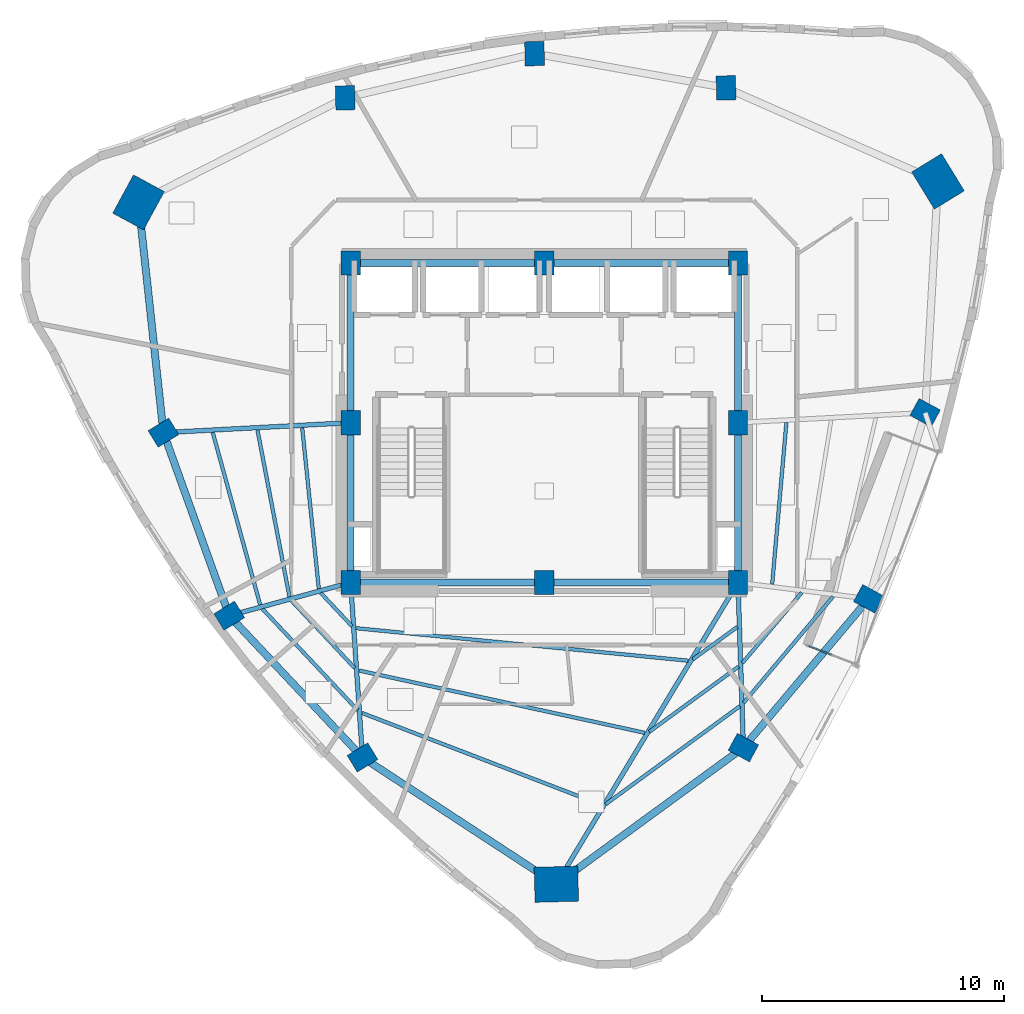
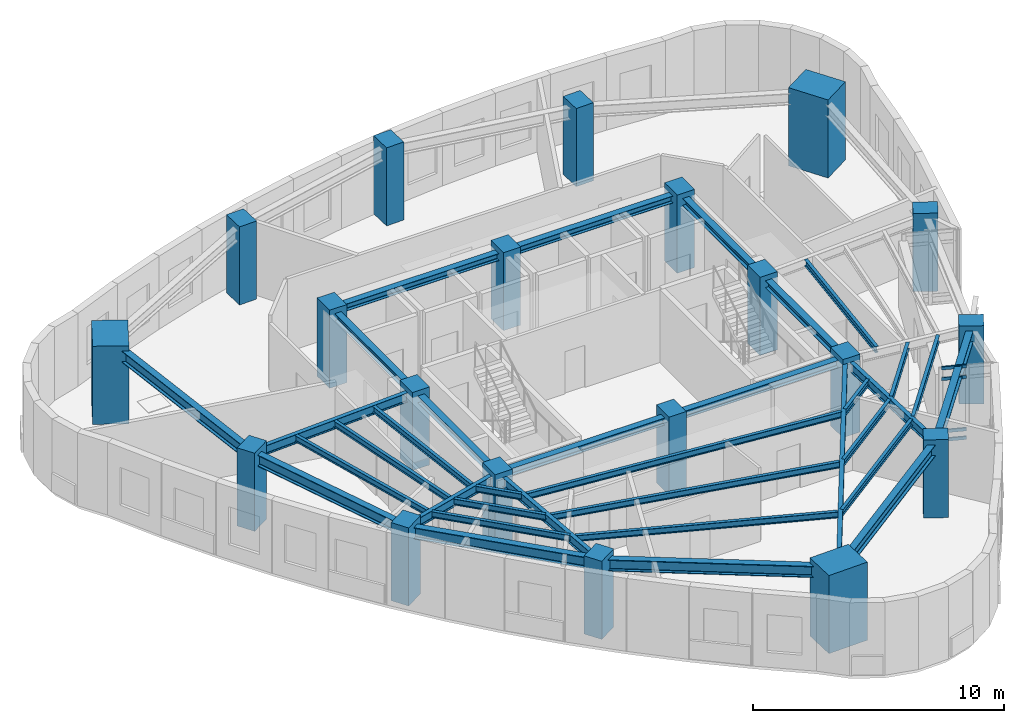
# One storey, part 1 of 10: 34 beams, 20 columns, 4 members, 1 element without a shape of its own.
"""IFC4 building model written with IfcOpenShell, lengths in metres."""

import ifcopenshell
import ifcopenshell.guid

model = None  # the IFC model being written
_history = None  # IfcOwnerHistory: only IFC2X3 demands one
_inside = {}  # id of a spatial element -> (the spatial element, [elements in it])
_under = {}  # id of a project, library or spatial element -> (it, [spatial elements below it])
_declared = {}  # id of a project -> (the project, [libraries it declares])
_typed = {}  # id of a type object -> (the type object, [elements of that type])
_made_of = {}  # id of a material, layer set ... -> (it, [elements and type objects made of it])


def new_model(schema):
    """Start an empty IFC model of exactly this schema.

    Asked for "IFC4X3", IfcOpenShell would pick the latest addendum, in which some entities
    have other attributes; the version numbers below select the first issue.
    IFC2X3 requires an IfcOwnerHistory on every rooted entity: one is made here for all.
    """
    global model, _history
    if schema == "IFC4X3":
        model = ifcopenshell.file(schema_version=(4, 3, 0, 0))
    else:
        model = ifcopenshell.file(schema=schema)
    _inside.clear()
    _under.clear()
    _declared.clear()
    _typed.clear()
    _made_of.clear()
    _history = None
    if model.schema == "IFC2X3":
        org = make("IfcOrganization", Name="unknown")
        user = make(
            "IfcPersonAndOrganization",
            ThePerson=make("IfcPerson", FamilyName="unknown"),
            TheOrganization=org,
        )
        app = make(
            "IfcApplication",
            ApplicationDeveloper=org,
            Version="unknown",
            ApplicationFullName="unknown",
            ApplicationIdentifier="unknown",
        )
        _history = make(
            "IfcOwnerHistory",
            OwningUser=user,
            OwningApplication=app,
            ChangeAction="ADDED",
            CreationDate=0,
        )
    return model


def make(cls, **values):
    """One entity of the class cls with the attributes given. An attribute that is None is left unset."""
    return model.create_entity(
        cls, **{name: value for name, value in values.items() if value is not None}
    )


def rooted(cls, **values):
    """An entity with a GlobalId (a new one), such as an element, a storey or a relation."""
    return make(cls, GlobalId=ifcopenshell.guid.new(), OwnerHistory=_history, **values)


def si_unit(unit_type, name, prefix=None):
    """IfcSIUnit, for example si_unit("LENGTHUNIT", "METRE", prefix="MILLI")."""
    return make("IfcSIUnit", UnitType=unit_type, Prefix=prefix, Name=name)


def assignment(units):
    """IfcUnitAssignment: the units of a project."""
    return None if units is None else make("IfcUnitAssignment", Units=units)


def point(xyz):
    """IfcCartesianPoint."""
    return None if xyz is None else make("IfcCartesianPoint", Coordinates=xyz)


def direction(xyz):
    """IfcDirection."""
    return None if xyz is None else make("IfcDirection", DirectionRatios=xyz)


def frame(location, z_axis=None, x_axis=None):
    """IfcAxis2Placement3D, a coordinate frame: its origin and axes. An axis left out is left unset."""
    return make(
        "IfcAxis2Placement3D",
        Location=point(location),
        Axis=direction(z_axis),
        RefDirection=direction(x_axis),
    )


def frame_2d(location, x_axis=None):
    """IfcAxis2Placement2D, a coordinate frame in the plane: its origin and x axis."""
    return make(
        "IfcAxis2Placement2D", Location=point(location), RefDirection=direction(x_axis)
    )


def origin():
    """The frame at (0, 0, 0) with its axes left unset."""
    return frame((0.0, 0.0, 0.0))


def origin_2d():
    """The frame at (0, 0) in the plane with its x axis left unset."""
    return frame_2d((0.0, 0.0))


def place(relative_to, where):
    """IfcLocalPlacement: puts the frame where relative to a parent placement (None: the world)."""
    return make(
        "IfcLocalPlacement", PlacementRelTo=relative_to, RelativePlacement=where
    )


def context(
    kind, dimensions, precision=None, world=None, true_north=None, identifier=None
):
    """IfcGeometricRepresentationContext, for example the 3D "Model" context."""
    return make(
        "IfcGeometricRepresentationContext",
        ContextIdentifier=identifier,
        ContextType=kind,
        CoordinateSpaceDimension=dimensions,
        Precision=precision,
        WorldCoordinateSystem=world,
        TrueNorth=true_north,
    )


def subcontext(parent, identifier, kind, view, scale=None):
    """IfcGeometricRepresentationSubContext, for example "Body" below "Model"."""
    return make(
        "IfcGeometricRepresentationSubContext",
        ContextIdentifier=identifier,
        ContextType=kind,
        ParentContext=parent,
        TargetScale=scale,
        TargetView=view,
    )


def project(units=None, contexts=None):
    """IfcProject with its units and contexts."""
    return rooted(
        "IfcProject",
        Name="project",
        RepresentationContexts=contexts,
        UnitsInContext=assignment(units),
    )


def spatial(cls, under=None, at=None, **own):
    """A site, building, storey or space (cls), placed at a placement, below another one or the project."""
    s = rooted(cls, ObjectPlacement=at, **own)
    if under is not None:
        _under.setdefault(under.id(), (under, []))[1].append(s)
    return s


def profile(cls, at=None, kind="AREA", **sizes):
    """A parametric profile (cls). Its sizes go by their IFC names, for example OverallWidth=200.0."""
    return make(cls, ProfileType=kind, Position=at, **sizes)


def rectangle(**sizes):
    """IfcRectangleProfileDef."""
    return profile("IfcRectangleProfileDef", **sizes)


def hollow_rectangle(**sizes):
    """IfcRectangleHollowProfileDef."""
    return profile("IfcRectangleHollowProfileDef", **sizes)


def i_section(**sizes):
    """IfcIShapeProfileDef."""
    return profile("IfcIShapeProfileDef", **sizes)


def extrude(swept, where, along, depth):
    """IfcExtrudedAreaSolid: the profile swept, set in the frame where, extruded along a direction by depth."""
    return make(
        "IfcExtrudedAreaSolid",
        SweptArea=swept,
        Position=where,
        ExtrudedDirection=direction(along),
        Depth=depth,
    )


def shape(context_of_items, identifier, shape_type, items):
    """IfcShapeRepresentation: the items that make up one representation, for example the "Body"."""
    return make(
        "IfcShapeRepresentation",
        ContextOfItems=context_of_items,
        RepresentationIdentifier=identifier,
        RepresentationType=shape_type,
        Items=items,
    )


def material(Name=None, Category=None):
    """IfcMaterial."""
    return make("IfcMaterial", Name=Name, Category=Category)


def layer(
    of_material, thickness, ventilated=None, Name=None, Category=None, Priority=None
):
    """IfcMaterialLayer: one layer of a wall or slab, of a material (None: an air gap)."""
    return make(
        "IfcMaterialLayer",
        Material=of_material,
        LayerThickness=thickness,
        IsVentilated=ventilated,
        Name=Name,
        Category=Category,
        Priority=Priority,
    )


def layer_set(layers, Name=None):
    """IfcMaterialLayerSet."""
    return make("IfcMaterialLayerSet", MaterialLayers=layers, LayerSetName=Name)


def material_profile(
    of_material, cross_section, Name=None, Category=None, Priority=None
):
    """IfcMaterialProfile: a cross section and its material."""
    return make(
        "IfcMaterialProfile",
        Name=Name,
        Material=of_material,
        Profile=cross_section,
        Priority=Priority,
        Category=Category,
    )


def profile_set(profiles, Name=None, composite=None):
    """IfcMaterialProfileSet."""
    return make(
        "IfcMaterialProfileSet",
        Name=Name,
        MaterialProfiles=profiles,
        CompositeProfile=composite,
    )


def made_of(thing, what):
    """Note that an element or type object is made of a material, layer set ...; save() writes the relation."""
    if what is not None:
        _made_of.setdefault(what.id(), (what, []))[1].append(thing)
    return thing


def type_object(cls, material=None, **own):
    """A type object (cls), such as IfcWallType, which elements share."""
    return made_of(rooted(cls, **own), material)


def element(
    cls,
    number,
    at=None,
    inside=None,
    cuts=None,
    type_object=None,
    material=None,
    context=None,
    identifier="Body",
    shape_type=None,
    held_by="IfcProductDefinitionShape",
    body=None,
    shapes=None,
    **own,
):
    """One element of the class cls, such as IfcWall. Its Tag is "e" and its number.

    at: its placement. inside: the storey or other place that contains it. cuts: it is an
    opening in that element (IfcRelVoidsElement). A single representation is given by context,
    identifier, shape_type and body (its items); several are given by shapes. held_by: the class
    of the entity that holds the representations. save() writes the other relations.
    """
    e = rooted(cls, Tag="e%d" % number, ObjectPlacement=at, **own)
    if body is not None:
        shapes = [shape(context, identifier, shape_type, body)]
    if shapes is not None:
        e.Representation = make(held_by, Representations=shapes)
    if inside is not None:
        _inside.setdefault(inside.id(), (inside, []))[1].append(e)
    if cuts is not None:
        rooted(
            "IfcRelVoidsElement", RelatingBuildingElement=cuts, RelatedOpeningElement=e
        )
    if type_object is not None:
        _typed.setdefault(type_object.id(), (type_object, []))[1].append(e)
    return made_of(e, material)


def aggregate(whole, parts):
    """IfcRelAggregates: a whole, such as a stair, and the parts it consists of."""
    return rooted("IfcRelAggregates", RelatingObject=whole, RelatedObjects=parts)


def save(model, path):
    """Write the relations noted so far, then the file.

    IfcRelAggregates (storeys below a building ...), IfcRelContainedInSpatialStructure (elements
    in a storey), IfcRelDefinesByType, IfcRelAssociatesMaterial and IfcRelDeclares: one each for
    every whole, place, type object, material and project.
    """
    for whole, parts in _under.values():
        aggregate(whole, parts)
    for where, things in _inside.values():
        rooted(
            "IfcRelContainedInSpatialStructure",
            RelatedElements=things,
            RelatingStructure=where,
        )
    for kind, things in _typed.values():
        rooted("IfcRelDefinesByType", RelatedObjects=things, RelatingType=kind)
    for what, things in _made_of.values():
        rooted("IfcRelAssociatesMaterial", RelatedObjects=things, RelatingMaterial=what)
    for by, libraries in _declared.values():
        rooted("IfcRelDeclares", RelatingContext=by, RelatedDefinitions=libraries)
    model.write(path)


model = new_model("IFC4")

# Units and contexts
model_context = context("Model", 3, precision=1e-05, world=origin(), true_north=direction((0.0, 1.0)))
body_context = subcontext(model_context, "Body", "Model", "MODEL_VIEW")
ifc_project = project(units=[si_unit("LENGTHUNIT", "METRE"), si_unit("AREAUNIT", "SQUARE_METRE"), si_unit("VOLUMEUNIT", "CUBIC_METRE"), si_unit("PLANEANGLEUNIT", "RADIAN"), si_unit("MASSUNIT", "GRAM", prefix="KILO")], contexts=[model_context])

# Site, building, storey
site_placement = place(None, origin())
site = spatial("IfcSite", under=ifc_project, at=site_placement, CompositionType="ELEMENT")
building_placement = place(site_placement, origin())
building = spatial("IfcBuilding", under=site, at=building_placement, Name="Ndelora Gate Hotel", CompositionType="ELEMENT")
storey_placement = place(building_placement, frame((0.0, 0.0, 247.35009765625)))
storey = spatial("IfcBuildingStorey", under=building, at=storey_placement, Name="L62", CompositionType="ELEMENT", Elevation=247.35009765625)

# Columns
ifc_material_1 = material(Name="Concrete C50/60", Category="concrete")
ifc_material_profile_1 = material_profile(ifc_material_1, rectangle(XDim=0.800048828125, YDim=1.0, at=origin_2d()), Name="RC 1000x800")
ifc_profile_set_1 = profile_set([ifc_material_profile_1], Name="Concrete C50/60")
column_type_1 = type_object("IfcColumnType", Name="COL-CC-HI", PredefinedType="COLUMN", material=ifc_profile_set_1)
for number, where, z_axis, x_axis, name in (
    (1, (-8.0, -6.60009765625, 0.0), (0.0, 0.0, 1.0), (1.0, 0.0, 0.0), "L62 Core Column CC1"),
    (2, (0.0, -6.60009765625, 0.0), (0.0, 0.0, 1.0), (1.0, 0.0, 0.0), "L62 Core Column CC2"),
    (3, (8.0, -6.60009765625, 0.0), (0.0, 0.0, 1.0), (1.0, 0.0, 0.0), "L62 Core Column CC3"),
    (4, (8.0, 0.0, 0.0), (0.0, 0.0, 1.0), (1.0, 0.0, 0.0), "L62 Core Column CC4"),
    (5, (8.0, 6.60009765625, 0.0), (0.0, 0.0, 1.0), (1.0, 0.0, 0.0), "L62 Core Column CC5"),
    (6, (0.0, 6.60009765625, 0.0), (0.0, 0.0, 1.0), (1.0, 0.0, 0.0), "L62 Core Column CC6"),
    (7, (-8.0, 6.60009765625, 0.0), (0.0, 0.0, 1.0), (1.0, 0.0, 0.0), "L62 Core Column CC7"),
    (8, (-8.0, 0.0, 0.0), (0.0, 0.0, 1.0), (1.0, 0.0, 0.0), "L62 Core Column CC8"),
):
    element("IfcColumn", number, at=place(storey_placement, frame(where, z_axis=z_axis, x_axis=x_axis)), inside=storey, type_object=column_type_1, Name=name, PredefinedType="COLUMN", context=body_context, shape_type="SweptSolid", body=[
        extrude(rectangle(XDim=0.800048828125, YDim=1.0, at=origin_2d()), origin(), (0.0, 0.0, 1.0), 3.7998046875),
    ])
ifc_material_profile_2 = material_profile(ifc_material_1, rectangle(XDim=1.449951171875, YDim=1.800048828125, at=origin_2d()), Name="RC 1800x1450")
ifc_profile_set_2 = profile_set([ifc_material_profile_2], Name="Concrete C50/60")
column_type_2 = type_object("IfcColumnType", Name="COL-MC-Z3", PredefinedType="COLUMN", material=ifc_profile_set_2)
for number, where, z_axis, x_axis, name in (
    (9, (-16.759521484375, 9.099609375, 0.0), (0.0, 0.0, 1.0), (-0.878817112662, 0.47715876026, 0.0), "L62 Corner Mega-Column R1"),
    (10, (0.499267578125, -19.064208984375, 0.0), (0.0, 0.0, 1.0), (-0.026176948308, 0.999657324976, 0.0), "L62 Corner Mega-Column R5"),
    (11, (16.26025390625, 9.96435546875, 0.0), (0.0, 0.0, 1.0), (0.852640164354, 0.522498564716, 0.0), "L62 Corner Mega-Column R9"),
):
    element("IfcColumn", number, at=place(storey_placement, frame(where, z_axis=z_axis, x_axis=x_axis)), inside=storey, type_object=column_type_2, Name=name, PredefinedType="COLUMN", context=body_context, shape_type="SweptSolid", body=[
        extrude(rectangle(XDim=1.449951171875, YDim=1.800048828125, at=origin_2d()), origin(), (0.0, 0.0, 1.0), 3.7998046875),
    ])
ifc_material_profile_3 = material_profile(ifc_material_1, rectangle(XDim=0.800048828125, YDim=1.0, at=origin_2d()), Name="RC 1000x800")
ifc_profile_set_3 = profile_set([ifc_material_profile_3], Name="Concrete C50/60")
column_type_3 = type_object("IfcColumnType", Name="COL-PT-Z3", PredefinedType="COLUMN", material=ifc_profile_set_3)
for number, where, z_axis, x_axis, name in (
    (12, (-15.72998046875, -0.411865234375, 0.0), (0.0, 0.0, 1.0), (-0.522498564716, 0.852640164354, 0.0), "L62 Perimeter Tube Column R2"),
    (13, (-13.011962890625, -7.973876953125, 0.0), (0.0, 0.0, 1.0), (-0.522498564716, 0.852640164354, 0.0), "L62 Perimeter Tube Column R3"),
    (14, (-7.50830078125, -13.828369140625, 0.0), (0.0, 0.0, 1.0), (-0.522498564716, 0.852640164354, 0.0), "L62 Perimeter Tube Column R4"),
    (15, (8.223876953125, -13.419921875, 0.0), (0.0, 0.0, 1.0), (0.47715876026, 0.878817112662, 0.0), "L62 Perimeter Tube Column R6"),
    (16, (13.400390625, -7.275634765625, 0.0), (0.0, 0.0, 1.0), (0.47715876026, 0.878817112662, 0.0), "L62 Perimeter Tube Column R7"),
    (17, (15.72998046875, 0.411865234375, 0.0), (0.0, 0.0, 1.0), (0.47715876026, 0.878817112662, 0.0), "L62 Perimeter Tube Column R8"),
    (18, (7.50830078125, 13.828369140625, 0.0), (0.0, 0.0, 1.0), (0.999657324976, 0.026176948308, 0.0), "L62 Perimeter Tube Column R10"),
    (19, (-0.399169921875, 15.242919921875, 0.0), (0.0, 0.0, 1.0), (0.999657324976, 0.026176948308, 0.0), "L62 Perimeter Tube Column R11"),
    (20, (-8.2216796875, 13.41650390625, 0.0), (0.0, 0.0, 1.0), (0.999657324976, 0.026176948308, 0.0), "L62 Perimeter Tube Column R12"),
):
    element("IfcColumn", number, at=place(storey_placement, frame(where, z_axis=z_axis, x_axis=x_axis)), inside=storey, type_object=column_type_3, Name=name, PredefinedType="COLUMN", context=body_context, shape_type="SweptSolid", body=[
        extrude(rectangle(XDim=0.800048828125, YDim=1.0, at=origin_2d()), origin(), (0.0, 0.0, 1.0), 3.7998046875),
    ])

# Beams
ifc_material_2 = material(Name="Steel S355", Category="steel")
ifc_material_profile_4 = material_profile(ifc_material_2, i_section(OverallWidth=0.300048828125, OverallDepth=0.35009765625, WebThickness=0.010009765625, FlangeThickness=0.017578125, FilletRadius=0.027099609375, at=origin_2d()), Name="HEA 360")
ifc_profile_set_4 = profile_set([ifc_material_profile_4], Name="Steel S355")
beam_type_1 = type_object("IfcBeamType", Name="BM-CORE-350", PredefinedType="BEAM", material=ifc_profile_set_4)
for number, where, z_axis, x_axis, name in (
    (21, (-8.0, 6.60009765625, 3.375), (1.0, 0.0, 0.0), (0.0, 1.0, 0.0), "L62 Core Tie Girder CC7-CC6"),
    (22, (0.0, 6.60009765625, 3.375), (1.0, 0.0, 0.0), (0.0, 1.0, 0.0), "L62 Core Tie Girder CC6-CC5"),
):
    element("IfcBeam", number, at=place(storey_placement, frame(where, z_axis=z_axis, x_axis=x_axis)), inside=storey, type_object=beam_type_1, Name=name, PredefinedType="BEAM", context=body_context, shape_type="SweptSolid", body=[
        extrude(i_section(OverallWidth=0.300048828125, OverallDepth=0.35009765625, WebThickness=0.010009765625, FlangeThickness=0.017578125, FilletRadius=0.027099609375, at=origin_2d()), origin(), (0.0, 0.0, 1.0), 8.0),
    ])
for number, where, z_axis, x_axis, name in (
    (23, (-8.0, -6.60009765625, 3.375), (0.0, 1.0, 0.0), (-1.0, 0.0, 0.0), "L62 Core Tie Girder CC1-CC8"),
    (24, (-8.0, 0.0, 3.375), (0.0, 1.0, 0.0), (-1.0, 0.0, 0.0), "L62 Core Tie Girder CC8-CC7"),
    (25, (8.0, -6.60009765625, 3.375), (0.0, 1.0, 0.0), (-1.0, 0.0, 0.0), "L62 Core Tie Girder CC3-CC4"),
    (26, (8.0, 0.0, 3.375), (0.0, 1.0, 0.0), (-1.0, 0.0, 0.0), "L62 Core Tie Girder CC4-CC5"),
):
    element("IfcBeam", number, at=place(storey_placement, frame(where, z_axis=z_axis, x_axis=x_axis)), inside=storey, type_object=beam_type_1, Name=name, PredefinedType="BEAM", context=body_context, shape_type="SweptSolid", body=[
        extrude(i_section(OverallWidth=0.300048828125, OverallDepth=0.35009765625, WebThickness=0.010009765625, FlangeThickness=0.017578125, FilletRadius=0.027099609375, at=origin_2d()), origin(), (0.0, 0.0, 1.0), 6.60009765625),
    ])
for number, where, z_axis, x_axis, name in (
    (27, (-8.0, -6.60009765625, 3.375), (1.0, 0.0, 0.0), (0.0, 1.0, 0.0), "L62 Core Tie Girder CC1-CC2"),
    (28, (0.0, -6.60009765625, 3.375), (1.0, 0.0, 0.0), (0.0, 1.0, 0.0), "L62 Core Tie Girder CC2-CC3"),
):
    element("IfcBeam", number, at=place(storey_placement, frame(where, z_axis=z_axis, x_axis=x_axis)), inside=storey, type_object=beam_type_1, Name=name, PredefinedType="BEAM", context=body_context, shape_type="SweptSolid", body=[
        extrude(i_section(OverallWidth=0.300048828125, OverallDepth=0.35009765625, WebThickness=0.010009765625, FlangeThickness=0.017578125, FilletRadius=0.027099609375, at=origin_2d()), origin(), (0.0, 0.0, 1.0), 8.0),
    ])
ifc_material_profile_5 = material_profile(ifc_material_2, i_section(OverallWidth=0.14990234375, OverallDepth=0.300048828125, WebThickness=0.007080078125, FlangeThickness=0.0107421875, FilletRadius=0.014892578125, at=origin_2d()), Name="IPE 300")
ifc_profile_set_5 = profile_set([ifc_material_profile_5], Name="Steel S355")
beam_type_2 = type_object("IfcBeamType", Name="BM-JST-300", PredefinedType="JOIST", material=ifc_profile_set_5)
beam_1_placement = place(storey_placement, frame((-9.9990234375, -0.21142578125, 3.39990234375), z_axis=(0.10260596827, -0.994722079415, 0.0), x_axis=(0.994722079415, 0.10260596827, 0.0)))
element("IfcBeam", 29, at=beam_1_placement, inside=storey, type_object=beam_type_2, Name="L62 Secondary Composite Floor Joist IN-2", PredefinedType="JOIST", context=body_context, shape_type="SweptSolid", body=[
    extrude(i_section(OverallWidth=0.14990234375, OverallDepth=0.300048828125, WebThickness=0.007080078125, FlangeThickness=0.0107421875, FilletRadius=0.014892578125, at=origin_2d()), origin(), (0.0, 0.0, 1.0), 6.676513671875),
])
beam_2_placement = place(storey_placement, frame((-11.84521484375, -0.30908203125, 3.39990234375), z_axis=(0.188470955684, -0.982078764083, 0.0), x_axis=(0.982078764083, 0.188470955684, 0.0)))
element("IfcBeam", 30, at=beam_2_placement, inside=storey, type_object=beam_type_2, Name="L62 Secondary Composite Floor Joist MID-2", PredefinedType="JOIST", context=body_context, shape_type="SweptSolid", body=[
    extrude(i_section(OverallWidth=0.14990234375, OverallDepth=0.300048828125, WebThickness=0.007080078125, FlangeThickness=0.0107421875, FilletRadius=0.014892578125, at=origin_2d()), origin(), (0.0, 0.0, 1.0), 7.000244140625),
])
beam_3_placement = place(storey_placement, frame((-13.6923828125, -0.406005859375, 3.39990234375), z_axis=(0.2652180483, -0.964188460238, 0.0), x_axis=(0.964188460238, 0.2652180483, 0.0)))
element("IfcBeam", 31, at=beam_3_placement, inside=storey, type_object=beam_type_2, Name="L62 Secondary Composite Floor Joist OUT-2", PredefinedType="JOIST", context=body_context, shape_type="SweptSolid", body=[
    extrude(i_section(OverallWidth=0.14990234375, OverallDepth=0.300048828125, WebThickness=0.007080078125, FlangeThickness=0.0107421875, FilletRadius=0.014892578125, at=origin_2d()), origin(), (0.0, 0.0, 1.0), 7.37353515625),
])
beam_4_placement = place(storey_placement, frame((-9.231201171875, -7.03369140625, 3.39990234375), z_axis=(0.684943115963, -0.728596546722, 0.0), x_axis=(0.728596546722, 0.684943115963, 0.0)))
element("IfcBeam", 32, at=beam_4_placement, inside=storey, type_object=beam_type_2, Name="L62 Secondary Composite Floor Joist IN-3", PredefinedType="JOIST", context=body_context, shape_type="SweptSolid", body=[
    extrude(i_section(OverallWidth=0.14990234375, OverallDepth=0.300048828125, WebThickness=0.007080078125, FlangeThickness=0.0107421875, FilletRadius=0.014892578125, at=origin_2d()), origin(), (0.0, 0.0, 1.0), 1.879150390625),
])
beam_5_placement = place(storey_placement, frame((-10.43408203125, -7.36328125, 3.39990234375), z_axis=(0.684938600536, -0.728600791584, 0.0), x_axis=(0.728600791584, 0.684938600536, 0.0)))
element("IfcBeam", 33, at=beam_5_placement, inside=storey, type_object=beam_type_2, Name="L62 Secondary Composite Floor Joist MID-3", PredefinedType="JOIST", context=body_context, shape_type="SweptSolid", body=[
    extrude(i_section(OverallWidth=0.14990234375, OverallDepth=0.300048828125, WebThickness=0.007080078125, FlangeThickness=0.0107421875, FilletRadius=0.014892578125, at=origin_2d()), origin(), (0.0, 0.0, 1.0), 3.807861328125),
])
beam_6_placement = place(storey_placement, frame((-11.636962890625, -7.693115234375, 3.39990234375), z_axis=(0.68493576734, -0.728603454986, 0.0), x_axis=(0.728603454986, 0.68493576734, 0.0)))
element("IfcBeam", 34, at=beam_6_placement, inside=storey, type_object=beam_type_2, Name="L62 Secondary Composite Floor Joist OUT-3", PredefinedType="JOIST", context=body_context, shape_type="SweptSolid", body=[
    extrude(i_section(OverallWidth=0.14990234375, OverallDepth=0.300048828125, WebThickness=0.007080078125, FlangeThickness=0.0107421875, FilletRadius=0.014892578125, at=origin_2d()), origin(), (0.0, 0.0, 1.0), 5.736328125),
])
beam_7_placement = place(storey_placement, frame((-7.767578125, -8.489501953125, 3.39990234375), z_axis=(0.995253727902, -0.097314012848, 0.0), x_axis=(0.097314012848, 0.995253727902, 0.0)))
element("IfcBeam", 35, at=beam_7_placement, inside=storey, type_object=beam_type_2, Name="L62 Secondary Composite Floor Joist IN-4", PredefinedType="JOIST", context=body_context, shape_type="SweptSolid", body=[
    extrude(i_section(OverallWidth=0.14990234375, OverallDepth=0.300048828125, WebThickness=0.007080078125, FlangeThickness=0.0107421875, FilletRadius=0.014892578125, at=origin_2d()), origin(), (0.0, 0.0, 1.0), 13.7783203125),
])
beam_8_placement = place(storey_placement, frame((-7.651611328125, -10.236572265625, 3.39990234375), z_axis=(0.977032906758, -0.213088477191, 0.0), x_axis=(0.213088477191, 0.977032906758, 0.0)))
element("IfcBeam", 36, at=beam_8_placement, inside=storey, type_object=beam_type_2, Name="L62 Secondary Composite Floor Joist MID-4", PredefinedType="JOIST", context=body_context, shape_type="SweptSolid", body=[
    extrude(i_section(OverallWidth=0.14990234375, OverallDepth=0.300048828125, WebThickness=0.007080078125, FlangeThickness=0.0107421875, FilletRadius=0.014892578125, at=origin_2d()), origin(), (0.0, 0.0, 1.0), 12.075927734375),
])
beam_9_placement = place(storey_placement, frame((-7.5380859375, -11.98681640625, 3.39990234375), z_axis=(0.933489266504, -0.358605339227, 0.0), x_axis=(0.358605339227, 0.933489266504, 0.0)))
element("IfcBeam", 37, at=beam_9_placement, inside=storey, type_object=beam_type_2, Name="L62 Secondary Composite Floor Joist OUT-4", PredefinedType="JOIST", context=body_context, shape_type="SweptSolid", body=[
    extrude(i_section(OverallWidth=0.14990234375, OverallDepth=0.300048828125, WebThickness=0.007080078125, FlangeThickness=0.0107421875, FilletRadius=0.014892578125, at=origin_2d()), origin(), (0.0, 0.0, 1.0), 10.593994140625),
])
beam_10_placement = place(storey_placement, frame((6.134521484375, -9.77880859375, 3.39990234375), z_axis=(0.80739897839, 0.590005838696, 0.0), x_axis=(-0.590005838696, 0.80739897839, 0.0)))
element("IfcBeam", 38, at=beam_10_placement, inside=storey, type_object=beam_type_2, Name="L62 Secondary Composite Floor Joist IN-5", PredefinedType="JOIST", context=body_context, shape_type="SweptSolid", body=[
    extrude(i_section(OverallWidth=0.14990234375, OverallDepth=0.300048828125, WebThickness=0.007080078125, FlangeThickness=0.0107421875, FilletRadius=0.014892578125, at=origin_2d()), origin(), (0.0, 0.0, 1.0), 2.277587890625),
])
beam_11_placement = place(storey_placement, frame((4.33447265625, -12.77001953125, 3.39990234375), z_axis=(0.807439047151, 0.589951002318, 0.0), x_axis=(-0.589951002318, 0.807439047151, 0.0)))
element("IfcBeam", 39, at=beam_11_placement, inside=storey, type_object=beam_type_2, Name="L62 Secondary Composite Floor Joist MID-5", PredefinedType="JOIST", context=body_context, shape_type="SweptSolid", body=[
    extrude(i_section(OverallWidth=0.14990234375, OverallDepth=0.300048828125, WebThickness=0.007080078125, FlangeThickness=0.0107421875, FilletRadius=0.014892578125, at=origin_2d()), origin(), (0.0, 0.0, 1.0), 4.5732421875),
])
beam_12_placement = place(storey_placement, frame((2.5341796875, -15.761474609375, 3.39990234375), z_axis=(0.807430841486, 0.589962232874, 0.0), x_axis=(-0.589962232874, 0.807430841486, 0.0)))
element("IfcBeam", 40, at=beam_12_placement, inside=storey, type_object=beam_type_2, Name="L62 Secondary Composite Floor Joist OUT-5", PredefinedType="JOIST", context=body_context, shape_type="SweptSolid", body=[
    extrude(i_section(OverallWidth=0.14990234375, OverallDepth=0.300048828125, WebThickness=0.007080078125, FlangeThickness=0.0107421875, FilletRadius=0.014892578125, at=origin_2d()), origin(), (0.0, 0.0, 1.0), 6.869384765625),
])
beam_13_placement = place(storey_placement, frame((8.1796875, -9.9296875, 3.39990234375), z_axis=(0.644319387893, 0.764756514444, 0.0), x_axis=(-0.764756514444, 0.644319387893, 0.0)))
element("IfcBeam", 41, at=beam_13_placement, inside=storey, type_object=beam_type_2, Name="L62 Secondary Composite Floor Joist MID-6", PredefinedType="JOIST", context=body_context, shape_type="SweptSolid", body=[
    extrude(i_section(OverallWidth=0.14990234375, OverallDepth=0.300048828125, WebThickness=0.007080078125, FlangeThickness=0.0107421875, FilletRadius=0.014892578125, at=origin_2d()), origin(), (0.0, 0.0, 1.0), 3.806884765625),
])
beam_14_placement = place(storey_placement, frame((8.2333984375, -11.56640625, 3.39990234375), z_axis=(0.644324492463, 0.764752213735, 0.0), x_axis=(-0.764752213735, 0.644324492463, 0.0)))
element("IfcBeam", 42, at=beam_14_placement, inside=storey, type_object=beam_type_2, Name="L62 Secondary Composite Floor Joist OUT-6", PredefinedType="JOIST", context=body_context, shape_type="SweptSolid", body=[
    extrude(i_section(OverallWidth=0.14990234375, OverallDepth=0.300048828125, WebThickness=0.007080078125, FlangeThickness=0.0107421875, FilletRadius=0.014892578125, at=origin_2d()), origin(), (0.0, 0.0, 1.0), 5.735107421875),
])
beam_15_placement = place(storey_placement, frame((9.413330078125, -6.671142578125, 3.39990234375), z_axis=(0.087643872384, 0.996151871771, 0.0), x_axis=(-0.996151871771, 0.087643872384, 0.0)))
element("IfcBeam", 43, at=beam_15_placement, inside=storey, type_object=beam_type_2, Name="L62 Secondary Composite Floor Joist IN-7", PredefinedType="JOIST", context=body_context, shape_type="SweptSolid", body=[
    extrude(i_section(OverallWidth=0.14990234375, OverallDepth=0.300048828125, WebThickness=0.007080078125, FlangeThickness=0.0107421875, FilletRadius=0.014892578125, at=origin_2d()), origin(), (0.0, 0.0, 1.0), 6.699462890625),
])
ifc_material_profile_6 = material_profile(ifc_material_2, i_section(OverallWidth=0.18994140625, OverallDepth=0.449951171875, WebThickness=0.009521484375, FlangeThickness=0.0146484375, FilletRadius=0.02099609375, at=origin_2d()), Name="IPE 450")
ifc_profile_set_6 = profile_set([ifc_material_profile_6], Name="Steel S355")
beam_type_3 = type_object("IfcBeamType", Name="BM-RAD-450", PredefinedType="BEAM", material=ifc_profile_set_6)
beam_16_placement = place(storey_placement, frame((-8.0, 0.0, 3.324951171875), z_axis=(-0.998583554121, -0.053206065814, 0.0), x_axis=(0.053206065814, -0.998583554121, 0.0)))
element("IfcBeam", 44, at=beam_16_placement, inside=storey, type_object=beam_type_3, Name="L62 Radial Floor Girder 2", PredefinedType="BEAM", context=body_context, shape_type="SweptSolid", body=[
    extrude(i_section(OverallWidth=0.18994140625, OverallDepth=0.449951171875, WebThickness=0.009521484375, FlangeThickness=0.0146484375, FilletRadius=0.02099609375, at=origin_2d()), origin(), (0.0, 0.0, 1.0), 7.740966796875),
])
beam_17_placement = place(storey_placement, frame((-8.0, -6.60009765625, 3.324951171875), z_axis=(-0.96442695542, -0.264349480157, 0.0), x_axis=(0.264349480157, -0.96442695542, 0.0)))
element("IfcBeam", 45, at=beam_17_placement, inside=storey, type_object=beam_type_3, Name="L62 Radial Floor Girder 3", PredefinedType="BEAM", context=body_context, shape_type="SweptSolid", body=[
    extrude(i_section(OverallWidth=0.18994140625, OverallDepth=0.449951171875, WebThickness=0.009521484375, FlangeThickness=0.0146484375, FilletRadius=0.02099609375, at=origin_2d()), origin(), (0.0, 0.0, 1.0), 5.19677734375),
])
beam_18_placement = place(storey_placement, frame((-8.0, -6.60009765625, 3.324951171875), z_axis=(0.067867612113, -0.997694335569, 0.0), x_axis=(0.997694335569, 0.067867612113, 0.0)))
element("IfcBeam", 46, at=beam_18_placement, inside=storey, type_object=beam_type_3, Name="L62 Radial Floor Girder 4", PredefinedType="BEAM", context=body_context, shape_type="SweptSolid", body=[
    extrude(i_section(OverallWidth=0.18994140625, OverallDepth=0.449951171875, WebThickness=0.009521484375, FlangeThickness=0.0146484375, FilletRadius=0.02099609375, at=origin_2d()), origin(), (0.0, 0.0, 1.0), 7.244873046875),
])
beam_19_placement = place(storey_placement, frame((8.0, -6.60009765625, 3.324951171875), z_axis=(-0.515620753203, -0.856816922607, 0.0), x_axis=(0.856816922607, -0.515620753203, 0.0)))
element("IfcBeam", 47, at=beam_19_placement, inside=storey, type_object=beam_type_3, Name="L62 Radial Floor Girder 5", PredefinedType="BEAM", context=body_context, shape_type="SweptSolid", body=[
    extrude(i_section(OverallWidth=0.18994140625, OverallDepth=0.449951171875, WebThickness=0.009521484375, FlangeThickness=0.0146484375, FilletRadius=0.02099609375, at=origin_2d()), origin(), (0.0, 0.0, 1.0), 14.546875),
])
beam_20_placement = place(storey_placement, frame((8.0, -6.60009765625, 3.324951171875), z_axis=(0.032809705109, -0.999461616697, 0.0), x_axis=(0.999461616697, 0.032809705109, 0.0)))
element("IfcBeam", 48, at=beam_20_placement, inside=storey, type_object=beam_type_3, Name="L62 Radial Floor Girder 6", PredefinedType="BEAM", context=body_context, shape_type="SweptSolid", body=[
    extrude(i_section(OverallWidth=0.18994140625, OverallDepth=0.449951171875, WebThickness=0.009521484375, FlangeThickness=0.0146484375, FilletRadius=0.02099609375, at=origin_2d()), origin(), (0.0, 0.0, 1.0), 6.823486328125),
])
ifc_material_profile_7 = material_profile(ifc_material_2, i_section(OverallWidth=0.300048828125, OverallDepth=0.550048828125, WebThickness=0.014892578125, FlangeThickness=0.029052734375, FilletRadius=0.027099609375, at=origin_2d()), Name="HEB 550")
ifc_profile_set_7 = profile_set([ifc_material_profile_7], Name="Steel S355")
beam_type_4 = type_object("IfcBeamType", Name="BM-RING-550", PredefinedType="SPANDREL", material=ifc_profile_set_7)
beam_21_placement = place(storey_placement, frame((-16.759521484375, 9.099609375, 3.27490234375), z_axis=(0.107613416645, -0.994192814578, 0.0), x_axis=(0.994192814578, 0.107613416645, 0.0)))
element("IfcBeam", 49, at=beam_21_placement, inside=storey, type_object=beam_type_4, Name="L62 Perimeter Spandrel Girder 1", PredefinedType="SPANDREL", context=body_context, shape_type="SweptSolid", body=[
    extrude(i_section(OverallWidth=0.300048828125, OverallDepth=0.550048828125, WebThickness=0.014892578125, FlangeThickness=0.029052734375, FilletRadius=0.027099609375, at=origin_2d()), origin(), (0.0, 0.0, 1.0), 9.567138671875),
])
beam_22_placement = place(storey_placement, frame((-15.72998046875, -0.411865234375, 3.27490234375), z_axis=(0.338244972382, -0.941058095262, 0.0), x_axis=(0.941058095262, 0.338244972382, 0.0)))
element("IfcBeam", 50, at=beam_22_placement, inside=storey, type_object=beam_type_4, Name="L62 Perimeter Spandrel Girder 2", PredefinedType="SPANDREL", context=body_context, shape_type="SweptSolid", body=[
    extrude(i_section(OverallWidth=0.300048828125, OverallDepth=0.550048828125, WebThickness=0.014892578125, FlangeThickness=0.029052734375, FilletRadius=0.027099609375, at=origin_2d()), origin(), (0.0, 0.0, 1.0), 8.03564453125),
])
beam_23_placement = place(storey_placement, frame((-13.011962890625, -7.973876953125, 3.27490234375), z_axis=(0.684939043371, -0.728600375285, 0.0), x_axis=(0.728600375285, 0.684939043371, 0.0)))
element("IfcBeam", 51, at=beam_23_placement, inside=storey, type_object=beam_type_4, Name="L62 Perimeter Spandrel Girder 3", PredefinedType="SPANDREL", context=body_context, shape_type="SweptSolid", body=[
    extrude(i_section(OverallWidth=0.300048828125, OverallDepth=0.550048828125, WebThickness=0.014892578125, FlangeThickness=0.029052734375, FilletRadius=0.027099609375, at=origin_2d()), origin(), (0.0, 0.0, 1.0), 8.03515625),
])
beam_24_placement = place(storey_placement, frame((-7.50830078125, -13.828369140625, 3.27490234375), z_axis=(0.836963769915, -0.547258300851, 0.0), x_axis=(0.547258300851, 0.836963769915, 0.0)))
element("IfcBeam", 52, at=beam_24_placement, inside=storey, type_object=beam_type_4, Name="L62 Perimeter Spandrel Girder 4", PredefinedType="SPANDREL", context=body_context, shape_type="SweptSolid", body=[
    extrude(i_section(OverallWidth=0.300048828125, OverallDepth=0.550048828125, WebThickness=0.014892578125, FlangeThickness=0.029052734375, FilletRadius=0.027099609375, at=origin_2d()), origin(), (0.0, 0.0, 1.0), 9.5673828125),
])
beam_25_placement = place(storey_placement, frame((0.499267578125, -19.064208984375, 3.27490234375), z_axis=(0.807421980226, 0.58997436033, 0.0), x_axis=(-0.58997436033, 0.807421980226, 0.0)))
element("IfcBeam", 53, at=beam_25_placement, inside=storey, type_object=beam_type_4, Name="L62 Perimeter Spandrel Girder 5", PredefinedType="SPANDREL", context=body_context, shape_type="SweptSolid", body=[
    extrude(i_section(OverallWidth=0.300048828125, OverallDepth=0.550048828125, WebThickness=0.014892578125, FlangeThickness=0.029052734375, FilletRadius=0.027099609375, at=origin_2d()), origin(), (0.0, 0.0, 1.0), 9.56689453125),
])
beam_26_placement = place(storey_placement, frame((8.223876953125, -13.419921875, 3.27490234375), z_axis=(0.644308845181, 0.764765396721, 0.0), x_axis=(-0.764765396721, 0.644308845181, 0.0)))
element("IfcBeam", 54, at=beam_26_placement, inside=storey, type_object=beam_type_4, Name="L62 Perimeter Spandrel Girder 6", PredefinedType="SPANDREL", context=body_context, shape_type="SweptSolid", body=[
    extrude(i_section(OverallWidth=0.300048828125, OverallDepth=0.550048828125, WebThickness=0.014892578125, FlangeThickness=0.029052734375, FilletRadius=0.027099609375, at=origin_2d()), origin(), (0.0, 0.0, 1.0), 8.0341796875),
])

# Curtain wall, members
ifc_material_3 = material(Name="Bronze Anodised Unitised Aluminium and Low-E Glass", Category="aluminium")
ifc_layer = layer(ifc_material_3, 0.199951171875)
ifc_layer_set = layer_set([ifc_layer], Name="Bronze Anodised Unitised Aluminium and Low-E Glass")
curtain_wall_type = type_object("IfcCurtainWallType", Name="CW-SYS-3", PredefinedType="NOTDEFINED", material=ifc_layer_set)
curtain_wall_placement = place(storey_placement, origin())
curtain_wall = element("IfcCurtainWall", 55, at=curtain_wall_placement, inside=storey, type_object=curtain_wall_type, Name="L62 Sky-Garden Loggia Side Curtain Wall CW3-1", PredefinedType="NOTDEFINED")
ifc_material_4 = material(Name="Bronze Anodised Aluminium 6063-T6", Category="aluminium")
ifc_material_profile_8 = material_profile(ifc_material_4, hollow_rectangle(XDim=0.06494140625, YDim=0.159912109375, WallThickness=0.00390625, InnerFilletRadius=0.00390625, OuterFilletRadius=0.008056640625, at=origin_2d()), Name="ALU 160x65x4")
ifc_profile_set_8 = profile_set([ifc_material_profile_8], Name="Bronze Anodised Aluminium 6063-T6")
member_type = type_object("IfcMemberType", Name="MB-CW-TRN150", PredefinedType="USERDEFINED", material=ifc_profile_set_8)
member_1_placement = place(storey_placement, frame((10.90869140625, -9.221923828125, 0.032470703125), z_axis=(0.93358111833, -0.358366147253, 0.0), x_axis=(0.358366147253, 0.93358111833, 0.0)))
member_1 = element("IfcMember", 56, at=member_1_placement, type_object=member_type, Name="CW3 transom 1.1", ObjectType="TRANSOM", PredefinedType="USERDEFINED", context=body_context, shape_type="SweptSolid", body=[
    extrude(hollow_rectangle(XDim=0.06494140625, YDim=0.159912109375, WallThickness=0.00390625, InnerFilletRadius=0.00390625, OuterFilletRadius=0.008056640625, at=origin_2d()), origin(), (0.0, 0.0, 1.0), 1.014404296875),
])
member_2_placement = place(storey_placement, frame((10.90869140625, -9.221923828125, 0.449951171875), z_axis=(0.93358111833, -0.358366147253, 0.0), x_axis=(0.358366147253, 0.93358111833, 0.0)))
member_2 = element("IfcMember", 57, at=member_2_placement, type_object=member_type, Name="CW3 transom 1.2", ObjectType="TRANSOM", PredefinedType="USERDEFINED", context=body_context, shape_type="SweptSolid", body=[
    extrude(hollow_rectangle(XDim=0.06494140625, YDim=0.159912109375, WallThickness=0.00390625, InnerFilletRadius=0.00390625, OuterFilletRadius=0.008056640625, at=origin_2d()), origin(), (0.0, 0.0, 1.0), 1.014404296875),
])
member_3_placement = place(storey_placement, frame((10.90869140625, -9.221923828125, 3.0), z_axis=(0.93358111833, -0.358366147253, 0.0), x_axis=(0.358366147253, 0.93358111833, 0.0)))
member_3 = element("IfcMember", 58, at=member_3_placement, type_object=member_type, Name="CW3 transom 1.3", ObjectType="TRANSOM", PredefinedType="USERDEFINED", context=body_context, shape_type="SweptSolid", body=[
    extrude(hollow_rectangle(XDim=0.06494140625, YDim=0.159912109375, WallThickness=0.00390625, InnerFilletRadius=0.00390625, OuterFilletRadius=0.008056640625, at=origin_2d()), origin(), (0.0, 0.0, 1.0), 1.014404296875),
])
member_4_placement = place(storey_placement, frame((10.90869140625, -9.221923828125, 3.517333984375), z_axis=(0.93358111833, -0.358366147253, 0.0), x_axis=(0.358366147253, 0.93358111833, 0.0)))
member_4 = element("IfcMember", 59, at=member_4_placement, type_object=member_type, Name="CW3 transom 1.4", ObjectType="TRANSOM", PredefinedType="USERDEFINED", context=body_context, shape_type="SweptSolid", body=[
    extrude(hollow_rectangle(XDim=0.06494140625, YDim=0.159912109375, WallThickness=0.00390625, InnerFilletRadius=0.00390625, OuterFilletRadius=0.008056640625, at=origin_2d()), origin(), (0.0, 0.0, 1.0), 1.014404296875),
])
aggregate(curtain_wall, [member_1, member_2, member_3, member_4])

save(model, "model.ifc")
